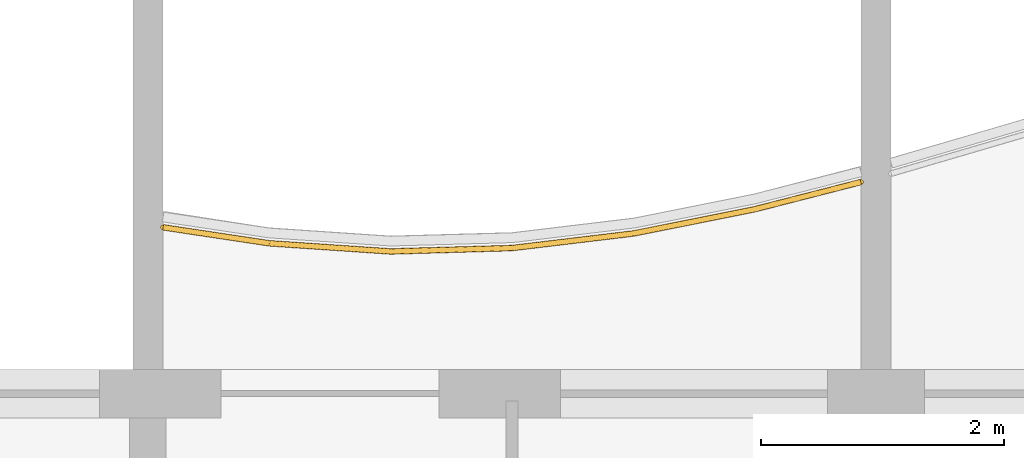
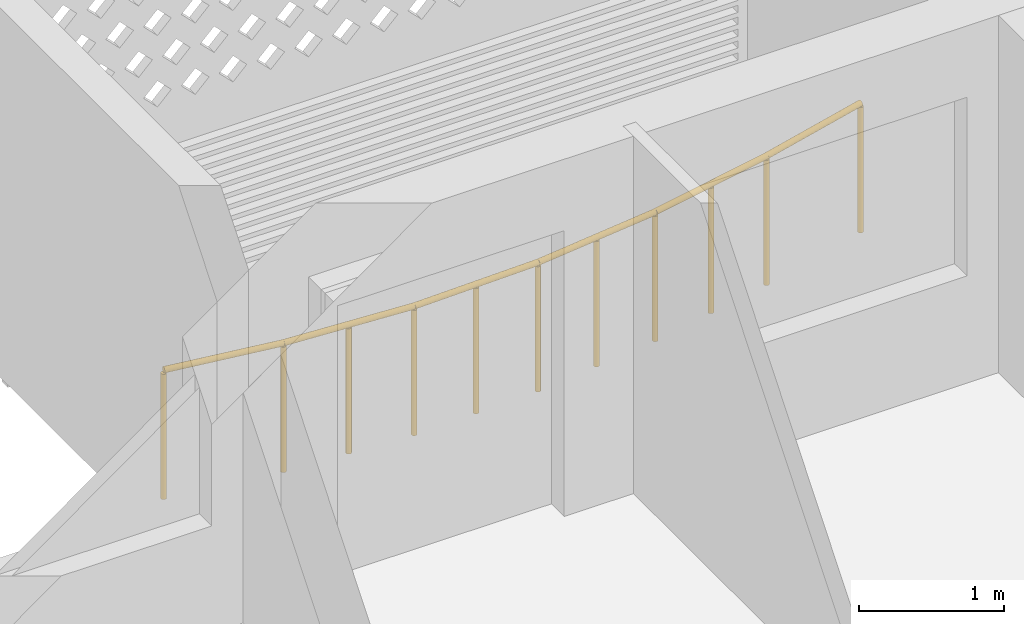
# One storey, part 29 of 32: 1 railing.
"""IFC4 building model written with IfcOpenShell, lengths in metres."""

import ifcopenshell
import ifcopenshell.guid

model = None  # the IFC model being written
_history = None  # IfcOwnerHistory: only IFC2X3 demands one
_inside = {}  # id of a spatial element -> (the spatial element, [elements in it])
_under = {}  # id of a project, library or spatial element -> (it, [spatial elements below it])
_declared = {}  # id of a project -> (the project, [libraries it declares])
_typed = {}  # id of a type object -> (the type object, [elements of that type])
_made_of = {}  # id of a material, layer set ... -> (it, [elements and type objects made of it])


def new_model(schema):
    """Start an empty IFC model of exactly this schema.

    Asked for "IFC4X3", IfcOpenShell would pick the latest addendum, in which some entities
    have other attributes; the version numbers below select the first issue.
    IFC2X3 requires an IfcOwnerHistory on every rooted entity: one is made here for all.
    """
    global model, _history
    if schema == "IFC4X3":
        model = ifcopenshell.file(schema_version=(4, 3, 0, 0))
    else:
        model = ifcopenshell.file(schema=schema)
    _inside.clear()
    _under.clear()
    _declared.clear()
    _typed.clear()
    _made_of.clear()
    _history = None
    if model.schema == "IFC2X3":
        org = make("IfcOrganization", Name="unknown")
        user = make(
            "IfcPersonAndOrganization",
            ThePerson=make("IfcPerson", FamilyName="unknown"),
            TheOrganization=org,
        )
        app = make(
            "IfcApplication",
            ApplicationDeveloper=org,
            Version="unknown",
            ApplicationFullName="unknown",
            ApplicationIdentifier="unknown",
        )
        _history = make(
            "IfcOwnerHistory",
            OwningUser=user,
            OwningApplication=app,
            ChangeAction="ADDED",
            CreationDate=0,
        )
    return model


def make(cls, **values):
    """One entity of the class cls with the attributes given. An attribute that is None is left unset."""
    return model.create_entity(
        cls, **{name: value for name, value in values.items() if value is not None}
    )


def rooted(cls, **values):
    """An entity with a GlobalId (a new one), such as an element, a storey or a relation."""
    return make(cls, GlobalId=ifcopenshell.guid.new(), OwnerHistory=_history, **values)


def si_unit(unit_type, name, prefix=None):
    """IfcSIUnit, for example si_unit("LENGTHUNIT", "METRE", prefix="MILLI")."""
    return make("IfcSIUnit", UnitType=unit_type, Prefix=prefix, Name=name)


def assignment(units):
    """IfcUnitAssignment: the units of a project."""
    return None if units is None else make("IfcUnitAssignment", Units=units)


def point(xyz):
    """IfcCartesianPoint."""
    return None if xyz is None else make("IfcCartesianPoint", Coordinates=xyz)


def direction(xyz):
    """IfcDirection."""
    return None if xyz is None else make("IfcDirection", DirectionRatios=xyz)


def frame(location, z_axis=None, x_axis=None):
    """IfcAxis2Placement3D, a coordinate frame: its origin and axes. An axis left out is left unset."""
    return make(
        "IfcAxis2Placement3D",
        Location=point(location),
        Axis=direction(z_axis),
        RefDirection=direction(x_axis),
    )


def frame_2d(location, x_axis=None):
    """IfcAxis2Placement2D, a coordinate frame in the plane: its origin and x axis."""
    return make(
        "IfcAxis2Placement2D", Location=point(location), RefDirection=direction(x_axis)
    )


def origin():
    """The frame at (0, 0, 0) with its axes left unset."""
    return frame((0.0, 0.0, 0.0))


def origin_2d():
    """The frame at (0, 0) in the plane with its x axis left unset."""
    return frame_2d((0.0, 0.0))


def place(relative_to, where):
    """IfcLocalPlacement: puts the frame where relative to a parent placement (None: the world)."""
    return make(
        "IfcLocalPlacement", PlacementRelTo=relative_to, RelativePlacement=where
    )


def context(
    kind, dimensions, precision=None, world=None, true_north=None, identifier=None
):
    """IfcGeometricRepresentationContext, for example the 3D "Model" context."""
    return make(
        "IfcGeometricRepresentationContext",
        ContextIdentifier=identifier,
        ContextType=kind,
        CoordinateSpaceDimension=dimensions,
        Precision=precision,
        WorldCoordinateSystem=world,
        TrueNorth=true_north,
    )


def subcontext(parent, identifier, kind, view, scale=None):
    """IfcGeometricRepresentationSubContext, for example "Body" below "Model"."""
    return make(
        "IfcGeometricRepresentationSubContext",
        ContextIdentifier=identifier,
        ContextType=kind,
        ParentContext=parent,
        TargetScale=scale,
        TargetView=view,
    )


def project(units=None, contexts=None):
    """IfcProject with its units and contexts."""
    return rooted(
        "IfcProject",
        Name="project",
        RepresentationContexts=contexts,
        UnitsInContext=assignment(units),
    )


def spatial(cls, under=None, at=None, **own):
    """A site, building, storey or space (cls), placed at a placement, below another one or the project."""
    s = rooted(cls, ObjectPlacement=at, **own)
    if under is not None:
        _under.setdefault(under.id(), (under, []))[1].append(s)
    return s


def profile(cls, at=None, kind="AREA", **sizes):
    """A parametric profile (cls). Its sizes go by their IFC names, for example OverallWidth=200.0."""
    return make(cls, ProfileType=kind, Position=at, **sizes)


def circle(**sizes):
    """IfcCircleProfileDef."""
    return profile("IfcCircleProfileDef", **sizes)


def extrude(swept, where, along, depth):
    """IfcExtrudedAreaSolid: the profile swept, set in the frame where, extruded along a direction by depth."""
    return make(
        "IfcExtrudedAreaSolid",
        SweptArea=swept,
        Position=where,
        ExtrudedDirection=direction(along),
        Depth=depth,
    )


def shape(context_of_items, identifier, shape_type, items):
    """IfcShapeRepresentation: the items that make up one representation, for example the "Body"."""
    return make(
        "IfcShapeRepresentation",
        ContextOfItems=context_of_items,
        RepresentationIdentifier=identifier,
        RepresentationType=shape_type,
        Items=items,
    )


def material(Name=None, Category=None):
    """IfcMaterial."""
    return make("IfcMaterial", Name=Name, Category=Category)


def made_of(thing, what):
    """Note that an element or type object is made of a material, layer set ...; save() writes the relation."""
    if what is not None:
        _made_of.setdefault(what.id(), (what, []))[1].append(thing)
    return thing


def type_object(cls, material=None, **own):
    """A type object (cls), such as IfcWallType, which elements share."""
    return made_of(rooted(cls, **own), material)


def element(
    cls,
    number,
    at=None,
    inside=None,
    cuts=None,
    type_object=None,
    material=None,
    context=None,
    identifier="Body",
    shape_type=None,
    held_by="IfcProductDefinitionShape",
    body=None,
    shapes=None,
    **own,
):
    """One element of the class cls, such as IfcWall. Its Tag is "e" and its number.

    at: its placement. inside: the storey or other place that contains it. cuts: it is an
    opening in that element (IfcRelVoidsElement). A single representation is given by context,
    identifier, shape_type and body (its items); several are given by shapes. held_by: the class
    of the entity that holds the representations. save() writes the other relations.
    """
    e = rooted(cls, Tag="e%d" % number, ObjectPlacement=at, **own)
    if body is not None:
        shapes = [shape(context, identifier, shape_type, body)]
    if shapes is not None:
        e.Representation = make(held_by, Representations=shapes)
    if inside is not None:
        _inside.setdefault(inside.id(), (inside, []))[1].append(e)
    if cuts is not None:
        rooted(
            "IfcRelVoidsElement", RelatingBuildingElement=cuts, RelatedOpeningElement=e
        )
    if type_object is not None:
        _typed.setdefault(type_object.id(), (type_object, []))[1].append(e)
    return made_of(e, material)


def aggregate(whole, parts):
    """IfcRelAggregates: a whole, such as a stair, and the parts it consists of."""
    return rooted("IfcRelAggregates", RelatingObject=whole, RelatedObjects=parts)


def save(model, path):
    """Write the relations noted so far, then the file.

    IfcRelAggregates (storeys below a building ...), IfcRelContainedInSpatialStructure (elements
    in a storey), IfcRelDefinesByType, IfcRelAssociatesMaterial and IfcRelDeclares: one each for
    every whole, place, type object, material and project.
    """
    for whole, parts in _under.values():
        aggregate(whole, parts)
    for where, things in _inside.values():
        rooted(
            "IfcRelContainedInSpatialStructure",
            RelatedElements=things,
            RelatingStructure=where,
        )
    for kind, things in _typed.values():
        rooted("IfcRelDefinesByType", RelatedObjects=things, RelatingType=kind)
    for what, things in _made_of.values():
        rooted("IfcRelAssociatesMaterial", RelatedObjects=things, RelatingMaterial=what)
    for by, libraries in _declared.values():
        rooted("IfcRelDeclares", RelatingContext=by, RelatedDefinitions=libraries)
    model.write(path)


model = new_model("IFC4")

# Units and contexts
model_context = context("Model", 3, precision=1e-05, world=origin(), true_north=direction((0.0, 1.0)))
body_context = subcontext(model_context, "Body", "Model", "MODEL_VIEW")
ifc_project = project(units=[si_unit("LENGTHUNIT", "METRE"), si_unit("AREAUNIT", "SQUARE_METRE"), si_unit("VOLUMEUNIT", "CUBIC_METRE"), si_unit("PLANEANGLEUNIT", "RADIAN"), si_unit("MASSUNIT", "GRAM", prefix="KILO")], contexts=[model_context])

# Site, building, storey
site_placement = place(None, origin())
site = spatial("IfcSite", under=ifc_project, at=site_placement, CompositionType="ELEMENT")
building_placement = place(site_placement, origin())
building = spatial("IfcBuilding", under=site, at=building_placement, Name="Poui Terraces", CompositionType="ELEMENT")
storey_placement = place(building_placement, frame((0.0, 0.0, 155.39990234375)))
storey = spatial("IfcBuildingStorey", under=building, at=storey_placement, Name="L43", CompositionType="ELEMENT", Elevation=155.39990234375)

# Railing
ifc_material = material(Name="Painted steel fretwork", Category="steel")
railing_type = type_object("IfcRailingType", Name="BALCONY GUARD 1100", PredefinedType="GUARDRAIL", material=ifc_material)
railing_placement = place(storey_placement, frame((72.125, 43.770751953125, 0.0)))
element("IfcRailing", 1, at=railing_placement, inside=storey, type_object=railing_type, Name="BALCONY GUARD", PredefinedType="GUARDRAIL", context=body_context, shape_type="SweptSolid", body=[
    extrude(circle(Radius=0.02392578125, at=origin_2d()), frame((0.0, 0.0, 1.076171875), z_axis=(0.988879613557, -0.148718223133, 0.0), x_axis=(0.148718223133, 0.988879613557, 0.0)), (0.0, 0.0, 1.0), 0.884765625),
    extrude(circle(Radius=0.02392578125, at=origin_2d()), frame((0.875, -0.131591796875, 1.076171875), z_axis=(0.997753790287, -0.066987864338, 0.0), x_axis=(0.066987864338, 0.997753790287, 0.0)), (0.0, 0.0, 1.0), 1.002197265625),
    extrude(circle(Radius=0.02392578125, at=origin_2d()), frame((1.875, -0.19873046875, 1.076171875), z_axis=(0.999612913888, 0.027821257857, 0.0), x_axis=(-0.027821257857, 0.999612913888, 0.0)), (0.0, 0.0, 1.0), 1.00048828125),
    extrude(circle(Radius=0.02392578125, at=origin_2d()), frame((2.875, -0.1708984375, 1.076171875), z_axis=(0.992863067926, 0.119259919292, 0.0), x_axis=(-0.119259919292, 0.992863067926, 0.0)), (0.0, 0.0, 1.0), 1.007080078125),
    extrude(circle(Radius=0.02392578125, at=origin_2d()), frame((3.875, -0.05078125, 1.076171875), z_axis=(0.980635885947, 0.19583988152, 0.0), x_axis=(-0.19583988152, 0.980635885947, 0.0)), (0.0, 0.0, 1.0), 1.019775390625),
    extrude(circle(Radius=0.02392578125, at=origin_2d()), frame((4.875, 0.14892578125, 1.076171875), z_axis=(0.968727197282, 0.248128227429, 0.0), x_axis=(-0.248128227429, 0.968727197282, 0.0)), (0.0, 0.0, 1.0), 0.9033203125),
    extrude(circle(Radius=0.02099609375, at=origin_2d()), origin(), (0.0, 0.0, 1.0), 1.052001953125),
    extrude(circle(Radius=0.02099609375, at=origin_2d()), frame((0.875, -0.131591796875, 0.0)), (0.0, 0.0, 1.0), 1.052001953125),
    extrude(circle(Radius=0.02099609375, at=origin_2d()), frame((1.375, -0.1650390625, 0.0)), (0.0, 0.0, 1.0), 1.052001953125),
    extrude(circle(Radius=0.02099609375, at=origin_2d()), frame((1.875, -0.19873046875, 0.0)), (0.0, 0.0, 1.0), 1.052001953125),
    extrude(circle(Radius=0.02099609375, at=origin_2d()), frame((2.375, -0.184814453125, 0.0)), (0.0, 0.0, 1.0), 1.052001953125),
    extrude(circle(Radius=0.02099609375, at=origin_2d()), frame((2.875, -0.1708984375, 0.0)), (0.0, 0.0, 1.0), 1.052001953125),
    extrude(circle(Radius=0.02099609375, at=origin_2d()), frame((3.375, -0.11083984375, 0.0)), (0.0, 0.0, 1.0), 1.052001953125),
    extrude(circle(Radius=0.02099609375, at=origin_2d()), frame((3.875, -0.05078125, 0.0)), (0.0, 0.0, 1.0), 1.052001953125),
    extrude(circle(Radius=0.02099609375, at=origin_2d()), frame((4.375, 0.049072265625, 0.0)), (0.0, 0.0, 1.0), 1.052001953125),
    extrude(circle(Radius=0.02099609375, at=origin_2d()), frame((4.875, 0.14892578125, 0.0)), (0.0, 0.0, 1.0), 1.052001953125),
    extrude(circle(Radius=0.02099609375, at=origin_2d()), frame((5.75, 0.373046875, 0.0)), (0.0, 0.0, 1.0), 1.052001953125),
])

save(model, "model.ifc")
